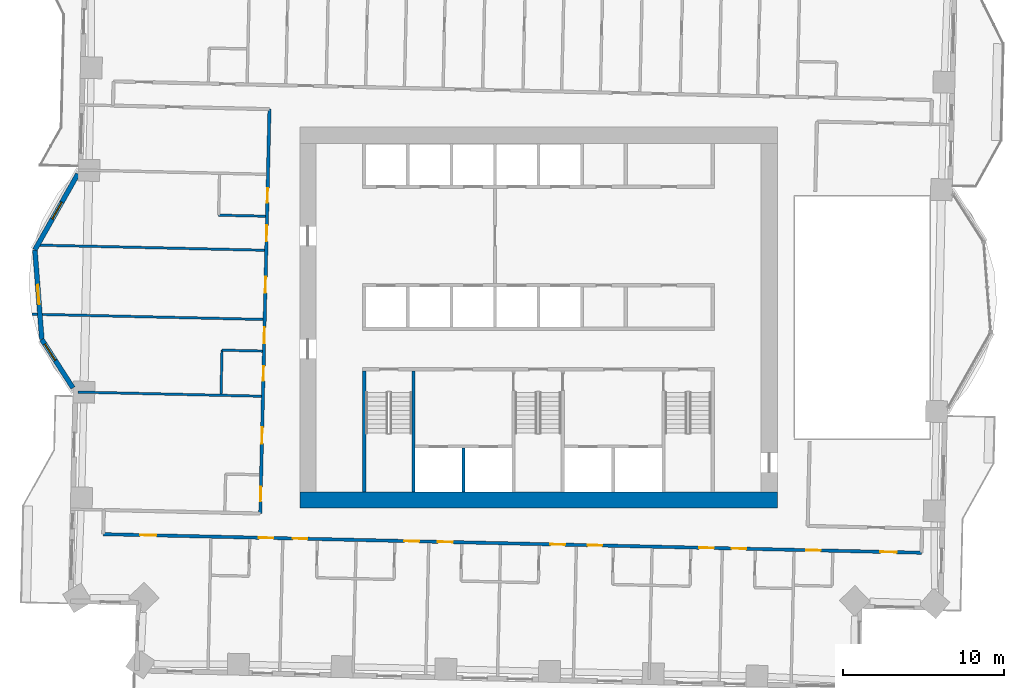
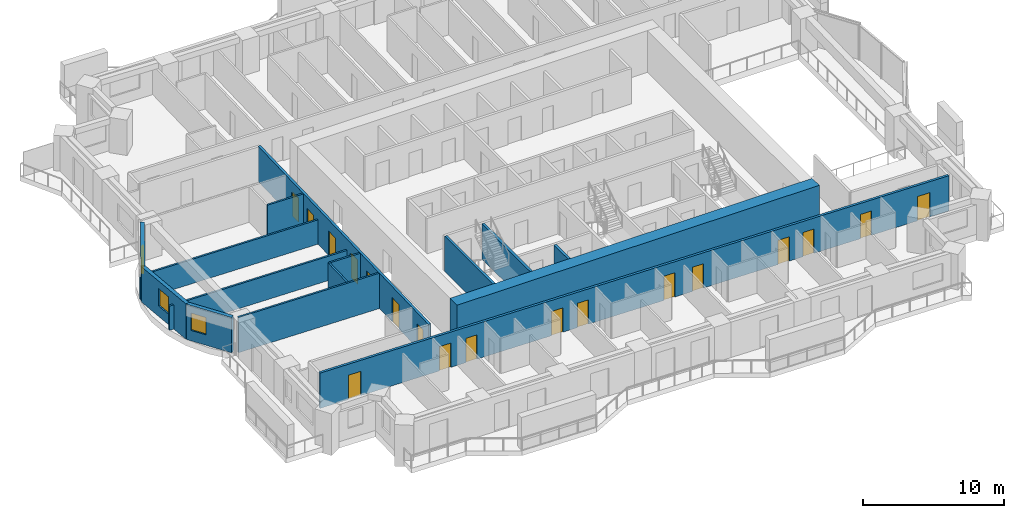
# One storey, part 7 of 16: 18 doors, 15 walls, 3 windows, 21 openings.
"""IFC4 building model written with IfcOpenShell, lengths in metres."""

from ifc_helpers import new_model, si_unit, direction, frame, frame_2d, origin, place, context, subcontext, project, spatial, rectangle, extrude, material, layer, layer_set, type_object, element, fill, save


model = new_model("IFC4")

# Units and contexts
model_context = context("Model", 3, precision=1e-05, world=origin(), true_north=direction((0.0, 1.0)))
body_context = subcontext(model_context, "Body", "Model", "MODEL_VIEW")
ifc_project = project(units=[si_unit("LENGTHUNIT", "METRE"), si_unit("AREAUNIT", "SQUARE_METRE"), si_unit("VOLUMEUNIT", "CUBIC_METRE"), si_unit("PLANEANGLEUNIT", "RADIAN"), si_unit("MASSUNIT", "GRAM", prefix="KILO")], contexts=[model_context])

# Site, building, storey
site_placement = place(None, origin())
site = spatial("IfcSite", under=ifc_project, at=site_placement, CompositionType="ELEMENT")
building_placement = place(site_placement, origin())
building = spatial("IfcBuilding", under=site, at=building_placement, Name="Mangrove Gate Tower", CompositionType="ELEMENT")
storey_placement = place(building_placement, frame((0.0, 0.0, 112.699951171875)))
storey = spatial("IfcBuildingStorey", under=building, at=storey_placement, Name="L28", CompositionType="ELEMENT", Elevation=112.699951171875)

# Walls
ifc_material_1 = material(Name="Concrete C70/85", Category="concrete")
ifc_layer_1 = layer(ifc_material_1, 0.199951171875)
ifc_layer_set_1 = layer_set([ifc_layer_1], Name="Core shaft wall 200 C70/85")
wall_type_1 = type_object("IfcWallType", Name="Core shaft wall 200 C70/85", PredefinedType="SHEAR", material=ifc_layer_set_1)
wall_1_placement = place(storey_placement, frame((-4.64990234375, -10.800048828125, 0.0), z_axis=(0.0, 0.0, 1.0), x_axis=(0.0, 1.0, 0.0)))
element("IfcWall", 1, at=wall_1_placement, inside=storey, type_object=wall_type_1, Name="WALL-L28-CORE-16", PredefinedType="SHEAR", context=body_context, shape_type="SweptSolid", body=[
    extrude(rectangle(XDim=2.699951171875, YDim=0.199951171875, at=frame_2d((1.35009765625, 0.0))), origin(), (0.0, 0.0, 1.0), 3.050048828125),
])
ifc_material_2 = material(Name="Concrete C70/85", Category="concrete")
ifc_layer_2 = layer(ifc_material_2, 0.199951171875)
ifc_layer_set_2 = layer_set([ifc_layer_2], Name="Core stair wall 200 C70/85")
wall_type_2 = type_object("IfcWallType", Name="Core stair wall 200 C70/85", PredefinedType="SHEAR", material=ifc_layer_set_2)
for number, where, z_axis, x_axis, name in (
    (2, (-10.800048828125, -10.800048828125, 0.0), (0.0, 0.0, 1.0), (0.0, 1.0, 0.0), "WALL-L28-CORE-9"),
    (3, (-7.75, -10.800048828125, 0.0), (0.0, 0.0, 1.0), (0.0, 1.0, 0.0), "WALL-L28-CORE-10"),
):
    element("IfcWall", number, at=place(storey_placement, frame(where, z_axis=z_axis, x_axis=x_axis)), inside=storey, type_object=wall_type_2, Name=name, PredefinedType="SHEAR", context=body_context, shape_type="SweptSolid", body=[
        extrude(rectangle(XDim=7.5, YDim=0.199951171875, at=frame_2d((3.75, 0.0))), origin(), (0.0, 0.0, 1.0), 3.050048828125),
    ])
ifc_material_3 = material(Name="Concrete C70/85", Category="concrete")
ifc_layer_3 = layer(ifc_material_3, 1.0)
ifc_layer_set_3 = layer_set([ifc_layer_3], Name="Core wall 1000 C70/85")
wall_type_3 = type_object("IfcWallType", Name="Core wall 1000 C70/85", PredefinedType="SHEAR", material=ifc_layer_set_3)
wall_2_placement = place(storey_placement, frame((-14.800048828125, -11.300048828125, 0.0), z_axis=(0.0, 0.0, 1.0), x_axis=(1.0, 0.0, 0.0)))
element("IfcWall", 4, at=wall_2_placement, inside=storey, type_object=wall_type_3, Name="WALL-L28-CORE-1", PredefinedType="SHEAR", context=body_context, shape_type="SweptSolid", body=[
    extrude(rectangle(XDim=29.60009765625, YDim=1.0, at=frame_2d((14.800048828125, 0.0))), origin(), (0.0, 0.0, 1.0), 3.60009765625),
])

# Wall, openings, doors
ifc_material_4 = material(Name="Gypsum board on steel stud, EI 60", Category="steel")
ifc_layer_4 = layer(ifc_material_4, 0.199951171875)
ifc_layer_set_4 = layer_set([ifc_layer_4], Name="Corridor wall EI 60")
wall_type_4 = type_object("IfcWallType", Name="Corridor wall EI 60", PredefinedType="PARTITIONING", material=ifc_layer_set_4)
wall_3_placement = place(storey_placement, frame((-26.97802734375, -13.427978515625, 0.0), z_axis=(0.0, 0.0, 1.0), x_axis=(0.999742553034, -0.02268981385, 0.0)))
wall_3 = element("IfcWall", 5, at=wall_3_placement, inside=storey, type_object=wall_type_4, Name="WALL-L28-026", PredefinedType="PARTITIONING", context=body_context, shape_type="SweptSolid", body=[
    extrude(rectangle(XDim=50.73291015625, YDim=0.199951171875, at=frame_2d((25.366455078125, 0.0))), origin(), (0.0, 0.0, 1.0), 3.050048828125),
])
opening_1_placement = place(wall_3_placement, frame((2.29296875, 0.0, 0.0)))
opening_1 = element("IfcOpeningElement", 6, at=opening_1_placement, cuts=wall_3, Name="Opening AD", PredefinedType="OPENING", context=body_context, shape_type="SweptSolid", body=[
    extrude(rectangle(XDim=1.0, YDim=2.10009765625, at=frame_2d((0.5, 1.050048828125))), frame((0.0, 0.10986328125, 0.0), z_axis=(0.0, -1.0, 0.0), x_axis=(1.0, 0.0, 0.0)), (0.0, 0.0, 1.0), 0.219970703125),
])
opening_2_placement = place(wall_3_placement, frame((9.64990234375, 0.0, 0.0)))
opening_2 = element("IfcOpeningElement", 7, at=opening_2_placement, cuts=wall_3, Name="Opening BD", PredefinedType="OPENING", context=body_context, shape_type="SweptSolid", body=[
    extrude(rectangle(XDim=0.89990234375, YDim=2.10009765625, at=frame_2d((0.449951171875, 1.050048828125))), frame((0.0, 0.10986328125, 0.0), z_axis=(0.0, -1.0, 0.0), x_axis=(1.0, 0.0, 0.0)), (0.0, 0.0, 1.0), 0.219970703125),
])
opening_3_placement = place(wall_3_placement, frame((11.75, 0.0, 0.0)))
opening_3 = element("IfcOpeningElement", 8, at=opening_3_placement, cuts=wall_3, Name="Opening BD", PredefinedType="OPENING", context=body_context, shape_type="SweptSolid", body=[
    extrude(rectangle(XDim=0.89990234375, YDim=2.10009765625, at=frame_2d((0.449951171875, 1.050048828125))), frame((0.0, 0.10986328125, 0.0), z_axis=(0.0, -1.0, 0.0), x_axis=(1.0, 0.0, 0.0)), (0.0, 0.0, 1.0), 0.219970703125),
])
opening_4_placement = place(wall_3_placement, frame((18.675048828125, 0.0, 0.0)))
opening_4 = element("IfcOpeningElement", 9, at=opening_4_placement, cuts=wall_3, Name="Opening BD", PredefinedType="OPENING", context=body_context, shape_type="SweptSolid", body=[
    extrude(rectangle(XDim=0.89990234375, YDim=2.10009765625, at=frame_2d((0.449951171875, 1.050048828125))), frame((0.0, 0.10986328125, 0.0), z_axis=(0.0, -1.0, 0.0), x_axis=(1.0, 0.0, 0.0)), (0.0, 0.0, 1.0), 0.219970703125),
])
opening_5_placement = place(wall_3_placement, frame((20.75, 0.0, 0.0)))
opening_5 = element("IfcOpeningElement", 10, at=opening_5_placement, cuts=wall_3, Name="Opening BD", PredefinedType="OPENING", context=body_context, shape_type="SweptSolid", body=[
    extrude(rectangle(XDim=0.89990234375, YDim=2.10009765625, at=frame_2d((0.449951171875, 1.050048828125))), frame((0.0, 0.10986328125, 0.0), z_axis=(0.0, -1.0, 0.0), x_axis=(1.0, 0.0, 0.0)), (0.0, 0.0, 1.0), 0.219970703125),
])
opening_6_placement = place(wall_3_placement, frame((27.72509765625, 0.0, 0.0)))
opening_6 = element("IfcOpeningElement", 11, at=opening_6_placement, cuts=wall_3, Name="Opening BD", PredefinedType="OPENING", context=body_context, shape_type="SweptSolid", body=[
    extrude(rectangle(XDim=0.89990234375, YDim=2.10009765625, at=frame_2d((0.449951171875, 1.050048828125))), frame((0.0, 0.10986328125, 0.0), z_axis=(0.0, -1.0, 0.0), x_axis=(1.0, 0.0, 0.0)), (0.0, 0.0, 1.0), 0.219970703125),
])
opening_7_placement = place(wall_3_placement, frame((30.02490234375, 0.0, 0.0)))
opening_7 = element("IfcOpeningElement", 12, at=opening_7_placement, cuts=wall_3, Name="Opening BD", PredefinedType="OPENING", context=body_context, shape_type="SweptSolid", body=[
    extrude(rectangle(XDim=0.89990234375, YDim=2.10009765625, at=frame_2d((0.449951171875, 1.050048828125))), frame((0.0, 0.10986328125, 0.0), z_axis=(0.0, -1.0, 0.0), x_axis=(1.0, 0.0, 0.0)), (0.0, 0.0, 1.0), 0.219970703125),
])
opening_8_placement = place(wall_3_placement, frame((36.949951171875, 0.0, 0.0)))
opening_8 = element("IfcOpeningElement", 13, at=opening_8_placement, cuts=wall_3, Name="Opening BD", PredefinedType="OPENING", context=body_context, shape_type="SweptSolid", body=[
    extrude(rectangle(XDim=0.89990234375, YDim=2.10009765625, at=frame_2d((0.449951171875, 1.050048828125))), frame((0.0, 0.10986328125, 0.0), z_axis=(0.0, -1.0, 0.0), x_axis=(1.0, 0.0, 0.0)), (0.0, 0.0, 1.0), 0.219970703125),
])
opening_9_placement = place(wall_3_placement, frame((38.949951171875, 0.0, 0.0)))
opening_9 = element("IfcOpeningElement", 14, at=opening_9_placement, cuts=wall_3, Name="Opening BD", PredefinedType="OPENING", context=body_context, shape_type="SweptSolid", body=[
    extrude(rectangle(XDim=0.89990234375, YDim=2.10009765625, at=frame_2d((0.449951171875, 1.050048828125))), frame((0.0, 0.10986328125, 0.0), z_axis=(0.0, -1.0, 0.0), x_axis=(1.0, 0.0, 0.0)), (0.0, 0.0, 1.0), 0.219970703125),
])
opening_10_placement = place(wall_3_placement, frame((48.178955078125, 0.0, 0.0)))
opening_10 = element("IfcOpeningElement", 15, at=opening_10_placement, cuts=wall_3, Name="Opening AD", PredefinedType="OPENING", context=body_context, shape_type="SweptSolid", body=[
    extrude(rectangle(XDim=1.0, YDim=2.10009765625, at=frame_2d((0.5, 1.050048828125))), frame((0.0, 0.10986328125, 0.0), z_axis=(0.0, -1.0, 0.0), x_axis=(1.0, 0.0, 0.0)), (0.0, 0.0, 1.0), 0.219970703125),
])
opening_11_placement = place(wall_3_placement, frame((43.574951171875, 0.0, 0.0)))
opening_11 = element("IfcOpeningElement", 16, at=opening_11_placement, cuts=wall_3, Name="Opening SD", PredefinedType="OPENING", context=body_context, shape_type="SweptSolid", body=[
    extrude(rectangle(XDim=0.89990234375, YDim=2.10009765625, at=frame_2d((0.449951171875, 1.050048828125))), frame((0.0, 0.10986328125, 0.0), z_axis=(0.0, -1.0, 0.0), x_axis=(1.0, 0.0, 0.0)), (0.0, 0.0, 1.0), 0.219970703125),
])
ifc_material_5 = material(Name="Timber door leaf", Category="wood")
door_type_1 = type_object("IfcDoorType", Name="Amenity door 1000", OperationType="SINGLE_SWING_LEFT", PredefinedType="DOOR", material=ifc_material_5)
door_1_placement = place(opening_1_placement, origin())
door_1 = element("IfcDoor", 17, at=door_1_placement, inside=storey, type_object=door_type_1, Name="DOOR-L28-GAM-c1a", OperationType="SINGLE_SWING_LEFT", OverallHeight=2.10009765625, OverallWidth=1.0, PredefinedType="DOOR", context=body_context, shape_type="SweptSolid", body=[
    extrude(rectangle(XDim=1.0, YDim=2.10009765625, at=frame_2d((0.5, 1.050048828125))), frame((0.0, 0.02490234375, 0.0), z_axis=(0.0, -1.0, 0.0), x_axis=(1.0, 0.0, 0.0)), (0.0, 0.0, 1.0), 0.050048828125),
])
fill(opening_1, door_1)
door_2_placement = place(opening_10_placement, origin())
door_2 = element("IfcDoor", 18, at=door_2_placement, inside=storey, type_object=door_type_1, Name="DOOR-L28-STU-c3a", OperationType="SINGLE_SWING_RIGHT", OverallHeight=2.10009765625, OverallWidth=1.0, PredefinedType="DOOR", context=body_context, shape_type="SweptSolid", body=[
    extrude(rectangle(XDim=1.0, YDim=2.10009765625, at=frame_2d((0.5, 1.050048828125))), frame((0.0, 0.02490234375, 0.0), z_axis=(0.0, -1.0, 0.0), x_axis=(1.0, 0.0, 0.0)), (0.0, 0.0, 1.0), 0.050048828125),
])
fill(opening_10, door_2)
ifc_material_6 = material(Name="Timber door leaf", Category="wood")
door_type_2 = type_object("IfcDoorType", Name="Bedroom door 900", OperationType="SINGLE_SWING_LEFT", PredefinedType="DOOR", material=ifc_material_6)
door_3_placement = place(opening_2_placement, origin())
door_3 = element("IfcDoor", 19, at=door_3_placement, inside=storey, type_object=door_type_2, Name="DOOR-L28-BED-c101", OperationType="SINGLE_SWING_LEFT", OverallHeight=2.10009765625, OverallWidth=0.89990234375, PredefinedType="DOOR", context=body_context, shape_type="SweptSolid", body=[
    extrude(rectangle(XDim=0.89990234375, YDim=2.10009765625, at=frame_2d((0.449951171875, 1.050048828125))), frame((0.0, 0.02490234375, 0.0), z_axis=(0.0, -1.0, 0.0), x_axis=(1.0, 0.0, 0.0)), (0.0, 0.0, 1.0), 0.050048828125),
])
fill(opening_2, door_3)
door_4_placement = place(opening_3_placement, origin())
door_4 = element("IfcDoor", 20, at=door_4_placement, inside=storey, type_object=door_type_2, Name="DOOR-L28-BED-c102", OperationType="SINGLE_SWING_RIGHT", OverallHeight=2.10009765625, OverallWidth=0.89990234375, PredefinedType="DOOR", context=body_context, shape_type="SweptSolid", body=[
    extrude(rectangle(XDim=0.89990234375, YDim=2.10009765625, at=frame_2d((0.449951171875, 1.050048828125))), frame((0.0, 0.02490234375, 0.0), z_axis=(0.0, -1.0, 0.0), x_axis=(1.0, 0.0, 0.0)), (0.0, 0.0, 1.0), 0.050048828125),
])
fill(opening_3, door_4)
door_5_placement = place(opening_4_placement, origin())
door_5 = element("IfcDoor", 21, at=door_5_placement, inside=storey, type_object=door_type_2, Name="DOOR-L28-BED-c103", OperationType="SINGLE_SWING_LEFT", OverallHeight=2.10009765625, OverallWidth=0.89990234375, PredefinedType="DOOR", context=body_context, shape_type="SweptSolid", body=[
    extrude(rectangle(XDim=0.89990234375, YDim=2.10009765625, at=frame_2d((0.449951171875, 1.050048828125))), frame((0.0, 0.02490234375, 0.0), z_axis=(0.0, -1.0, 0.0), x_axis=(1.0, 0.0, 0.0)), (0.0, 0.0, 1.0), 0.050048828125),
])
fill(opening_4, door_5)
door_6_placement = place(opening_5_placement, origin())
door_6 = element("IfcDoor", 22, at=door_6_placement, inside=storey, type_object=door_type_2, Name="DOOR-L28-BED-c204", OperationType="SINGLE_SWING_RIGHT", OverallHeight=2.10009765625, OverallWidth=0.89990234375, PredefinedType="DOOR", context=body_context, shape_type="SweptSolid", body=[
    extrude(rectangle(XDim=0.89990234375, YDim=2.10009765625, at=frame_2d((0.449951171875, 1.050048828125))), frame((0.0, 0.02490234375, 0.0), z_axis=(0.0, -1.0, 0.0), x_axis=(1.0, 0.0, 0.0)), (0.0, 0.0, 1.0), 0.050048828125),
])
fill(opening_5, door_6)
door_7_placement = place(opening_6_placement, origin())
door_7 = element("IfcDoor", 23, at=door_7_placement, inside=storey, type_object=door_type_2, Name="DOOR-L28-BED-c205", OperationType="SINGLE_SWING_LEFT", OverallHeight=2.10009765625, OverallWidth=0.89990234375, PredefinedType="DOOR", context=body_context, shape_type="SweptSolid", body=[
    extrude(rectangle(XDim=0.89990234375, YDim=2.10009765625, at=frame_2d((0.449951171875, 1.050048828125))), frame((0.0, 0.02490234375, 0.0), z_axis=(0.0, -1.0, 0.0), x_axis=(1.0, 0.0, 0.0)), (0.0, 0.0, 1.0), 0.050048828125),
])
fill(opening_6, door_7)
door_8_placement = place(opening_7_placement, origin())
door_8 = element("IfcDoor", 24, at=door_8_placement, inside=storey, type_object=door_type_2, Name="DOOR-L28-BED-c206", OperationType="SINGLE_SWING_RIGHT", OverallHeight=2.10009765625, OverallWidth=0.89990234375, PredefinedType="DOOR", context=body_context, shape_type="SweptSolid", body=[
    extrude(rectangle(XDim=0.89990234375, YDim=2.10009765625, at=frame_2d((0.449951171875, 1.050048828125))), frame((0.0, 0.02490234375, 0.0), z_axis=(0.0, -1.0, 0.0), x_axis=(1.0, 0.0, 0.0)), (0.0, 0.0, 1.0), 0.050048828125),
])
fill(opening_7, door_8)
door_9_placement = place(opening_8_placement, origin())
door_9 = element("IfcDoor", 25, at=door_9_placement, inside=storey, type_object=door_type_2, Name="DOOR-L28-BED-c307", OperationType="SINGLE_SWING_LEFT", OverallHeight=2.10009765625, OverallWidth=0.89990234375, PredefinedType="DOOR", context=body_context, shape_type="SweptSolid", body=[
    extrude(rectangle(XDim=0.89990234375, YDim=2.10009765625, at=frame_2d((0.449951171875, 1.050048828125))), frame((0.0, 0.02490234375, 0.0), z_axis=(0.0, -1.0, 0.0), x_axis=(1.0, 0.0, 0.0)), (0.0, 0.0, 1.0), 0.050048828125),
])
fill(opening_8, door_9)
door_10_placement = place(opening_9_placement, origin())
door_10 = element("IfcDoor", 26, at=door_10_placement, inside=storey, type_object=door_type_2, Name="DOOR-L28-BED-c308", OperationType="SINGLE_SWING_RIGHT", OverallHeight=2.10009765625, OverallWidth=0.89990234375, PredefinedType="DOOR", context=body_context, shape_type="SweptSolid", body=[
    extrude(rectangle(XDim=0.89990234375, YDim=2.10009765625, at=frame_2d((0.449951171875, 1.050048828125))), frame((0.0, 0.02490234375, 0.0), z_axis=(0.0, -1.0, 0.0), x_axis=(1.0, 0.0, 0.0)), (0.0, 0.0, 1.0), 0.050048828125),
])
fill(opening_9, door_10)
ifc_material_7 = material(Name="Timber door leaf", Category="wood")
door_type_3 = type_object("IfcDoorType", Name="Service room door 900", OperationType="SINGLE_SWING_LEFT", PredefinedType="DOOR", material=ifc_material_7)
door_11_placement = place(opening_11_placement, origin())
door_11 = element("IfcDoor", 27, at=door_11_placement, inside=storey, type_object=door_type_3, Name="DOOR-L28-LIN-c3a", OperationType="SINGLE_SWING_LEFT", OverallHeight=2.10009765625, OverallWidth=0.89990234375, PredefinedType="DOOR", context=body_context, shape_type="SweptSolid", body=[
    extrude(rectangle(XDim=0.89990234375, YDim=2.10009765625, at=frame_2d((0.449951171875, 1.050048828125))), frame((0.0, 0.02490234375, 0.0), z_axis=(0.0, -1.0, 0.0), x_axis=(1.0, 0.0, 0.0)), (0.0, 0.0, 1.0), 0.050048828125),
])
fill(opening_11, door_11)

wall_4_placement = place(storey_placement, frame((-17.2470703125, -12.14892578125, 0.0), z_axis=(0.0, 0.0, 1.0), x_axis=(0.022696191528, 0.999742408268, 0.0)))
wall_4 = element("IfcWall", 28, at=wall_4_placement, inside=storey, type_object=wall_type_4, Name="WALL-L28-031", PredefinedType="PARTITIONING", context=body_context, shape_type="SweptSolid", body=[
    extrude(rectangle(XDim=25.07421875, YDim=0.199951171875, at=frame_2d((12.537109375, 0.0))), origin(), (0.0, 0.0, 1.0), 3.050048828125),
])
opening_12_placement = place(wall_4_placement, frame((16.875, 0.0, 0.0)))
opening_12 = element("IfcOpeningElement", 29, at=opening_12_placement, cuts=wall_4, Name="Opening AD", PredefinedType="OPENING", context=body_context, shape_type="SweptSolid", body=[
    extrude(rectangle(XDim=1.0, YDim=2.10009765625, at=frame_2d((0.5, 1.050048828125))), frame((0.0, 0.10986328125, 0.0), z_axis=(0.0, -1.0, 0.0), x_axis=(1.0, 0.0, 0.0)), (0.0, 0.0, 1.0), 0.219970703125),
])
opening_13_placement = place(wall_4_placement, frame((19.27490234375, 0.0, 0.0)))
opening_13 = element("IfcOpeningElement", 30, at=opening_13_placement, cuts=wall_4, Name="Opening SD", PredefinedType="OPENING", context=body_context, shape_type="SweptSolid", body=[
    extrude(rectangle(XDim=0.89990234375, YDim=2.10009765625, at=frame_2d((0.449951171875, 1.050048828125))), frame((0.0, 0.10986328125, 0.0), z_axis=(0.0, -1.0, 0.0), x_axis=(1.0, 0.0, 0.0)), (0.0, 0.0, 1.0), 0.219970703125),
])
opening_14_placement = place(wall_4_placement, frame((13.675048828125, 0.0, 0.0)))
opening_14 = element("IfcOpeningElement", 31, at=opening_14_placement, cuts=wall_4, Name="Opening AD", PredefinedType="OPENING", context=body_context, shape_type="SweptSolid", body=[
    extrude(rectangle(XDim=1.0, YDim=2.10009765625, at=frame_2d((0.5, 1.050048828125))), frame((0.0, 0.10986328125, 0.0), z_axis=(0.0, -1.0, 0.0), x_axis=(1.0, 0.0, 0.0)), (0.0, 0.0, 1.0), 0.219970703125),
])
opening_15_placement = place(wall_4_placement, frame((10.550048828125, 0.0, 0.0)))
opening_15 = element("IfcOpeningElement", 32, at=opening_15_placement, cuts=wall_4, Name="Opening AD", PredefinedType="OPENING", context=body_context, shape_type="SweptSolid", body=[
    extrude(rectangle(XDim=1.0, YDim=2.10009765625, at=frame_2d((0.5, 1.050048828125))), frame((0.0, 0.10986328125, 0.0), z_axis=(0.0, -1.0, 0.0), x_axis=(1.0, 0.0, 0.0)), (0.0, 0.0, 1.0), 0.219970703125),
])
opening_16_placement = place(wall_4_placement, frame((8.22509765625, 0.0, 0.0)))
opening_16 = element("IfcOpeningElement", 33, at=opening_16_placement, cuts=wall_4, Name="Opening SD", PredefinedType="OPENING", context=body_context, shape_type="SweptSolid", body=[
    extrude(rectangle(XDim=0.89990234375, YDim=2.10009765625, at=frame_2d((0.449951171875, 1.050048828125))), frame((0.0, 0.10986328125, 0.0), z_axis=(0.0, -1.0, 0.0), x_axis=(1.0, 0.0, 0.0)), (0.0, 0.0, 1.0), 0.219970703125),
])
opening_17_placement = place(wall_4_placement, frame((4.3369140625, 0.0, 0.0)))
opening_17 = element("IfcOpeningElement", 34, at=opening_17_placement, cuts=wall_4, Name="Opening AD", PredefinedType="OPENING", context=body_context, shape_type="SweptSolid", body=[
    extrude(rectangle(XDim=1.0, YDim=2.10009765625, at=frame_2d((0.5, 1.050048828125))), frame((0.0, 0.10986328125, 0.0), z_axis=(0.0, -1.0, 0.0), x_axis=(1.0, 0.0, 0.0)), (0.0, 0.0, 1.0), 0.219970703125),
])
opening_18_placement = place(wall_4_placement, frame((0.75, 0.0, 0.0)))
opening_18 = element("IfcOpeningElement", 35, at=opening_18_placement, cuts=wall_4, Name="Opening SD", PredefinedType="OPENING", context=body_context, shape_type="SweptSolid", body=[
    extrude(rectangle(XDim=0.89990234375, YDim=2.10009765625, at=frame_2d((0.449951171875, 1.050048828125))), frame((0.0, 0.10986328125, 0.0), z_axis=(0.0, -1.0, 0.0), x_axis=(1.0, 0.0, 0.0)), (0.0, 0.0, 1.0), 0.219970703125),
])
door_12_placement = place(opening_12_placement, origin())
door_12 = element("IfcDoor", 36, at=door_12_placement, inside=storey, type_object=door_type_1, Name="DOOR-L28-LNG-c5a", OperationType="SINGLE_SWING_RIGHT", OverallHeight=2.10009765625, OverallWidth=1.0, PredefinedType="DOOR", context=body_context, shape_type="SweptSolid", body=[
    extrude(rectangle(XDim=1.0, YDim=2.10009765625, at=frame_2d((0.5, 1.050048828125))), frame((0.0, 0.02490234375, 0.0), z_axis=(0.0, -1.0, 0.0), x_axis=(1.0, 0.0, 0.0)), (0.0, 0.0, 1.0), 0.050048828125),
])
fill(opening_12, door_12)
door_13_placement = place(opening_14_placement, origin())
door_13 = element("IfcDoor", 37, at=door_13_placement, inside=storey, type_object=door_type_1, Name="DOOR-L28-LNG-c5b", OperationType="SINGLE_SWING_LEFT", OverallHeight=2.10009765625, OverallWidth=1.0, PredefinedType="DOOR", context=body_context, shape_type="SweptSolid", body=[
    extrude(rectangle(XDim=1.0, YDim=2.10009765625, at=frame_2d((0.5, 1.050048828125))), frame((0.0, 0.02490234375, 0.0), z_axis=(0.0, -1.0, 0.0), x_axis=(1.0, 0.0, 0.0)), (0.0, 0.0, 1.0), 0.050048828125),
])
fill(opening_14, door_13)
door_14_placement = place(opening_15_placement, origin())
door_14 = element("IfcDoor", 38, at=door_14_placement, inside=storey, type_object=door_type_1, Name="DOOR-L28-LNG-c5c", OperationType="SINGLE_SWING_RIGHT", OverallHeight=2.10009765625, OverallWidth=1.0, PredefinedType="DOOR", context=body_context, shape_type="SweptSolid", body=[
    extrude(rectangle(XDim=1.0, YDim=2.10009765625, at=frame_2d((0.5, 1.050048828125))), frame((0.0, 0.02490234375, 0.0), z_axis=(0.0, -1.0, 0.0), x_axis=(1.0, 0.0, 0.0)), (0.0, 0.0, 1.0), 0.050048828125),
])
fill(opening_15, door_14)
door_15_placement = place(opening_17_placement, origin())
door_15 = element("IfcDoor", 39, at=door_15_placement, inside=storey, type_object=door_type_1, Name="DOOR-L28-GAM-c5b", OperationType="SINGLE_SWING_LEFT", OverallHeight=2.10009765625, OverallWidth=1.0, PredefinedType="DOOR", context=body_context, shape_type="SweptSolid", body=[
    extrude(rectangle(XDim=1.0, YDim=2.10009765625, at=frame_2d((0.5, 1.050048828125))), frame((0.0, 0.02490234375, 0.0), z_axis=(0.0, -1.0, 0.0), x_axis=(1.0, 0.0, 0.0)), (0.0, 0.0, 1.0), 0.050048828125),
])
fill(opening_17, door_15)
door_16_placement = place(opening_13_placement, origin())
door_16 = element("IfcDoor", 40, at=door_16_placement, inside=storey, type_object=door_type_3, Name="DOOR-L28-AWC-c5a", OperationType="SINGLE_SWING_RIGHT", OverallHeight=2.10009765625, OverallWidth=0.89990234375, PredefinedType="DOOR", context=body_context, shape_type="SweptSolid", body=[
    extrude(rectangle(XDim=0.89990234375, YDim=2.10009765625, at=frame_2d((0.449951171875, 1.050048828125))), frame((0.0, 0.02490234375, 0.0), z_axis=(0.0, -1.0, 0.0), x_axis=(1.0, 0.0, 0.0)), (0.0, 0.0, 1.0), 0.050048828125),
])
fill(opening_13, door_16)
door_17_placement = place(opening_16_placement, origin())
door_17 = element("IfcDoor", 41, at=door_17_placement, inside=storey, type_object=door_type_3, Name="DOOR-L28-LDY-c5a", OperationType="SINGLE_SWING_LEFT", OverallHeight=2.10009765625, OverallWidth=0.89990234375, PredefinedType="DOOR", context=body_context, shape_type="SweptSolid", body=[
    extrude(rectangle(XDim=0.89990234375, YDim=2.10009765625, at=frame_2d((0.449951171875, 1.050048828125))), frame((0.0, 0.02490234375, 0.0), z_axis=(0.0, -1.0, 0.0), x_axis=(1.0, 0.0, 0.0)), (0.0, 0.0, 1.0), 0.050048828125),
])
fill(opening_16, door_17)
door_18_placement = place(opening_18_placement, origin())
door_18 = element("IfcDoor", 42, at=door_18_placement, inside=storey, type_object=door_type_3, Name="DOOR-L28-LIN-c5b", OperationType="SINGLE_SWING_RIGHT", OverallHeight=2.10009765625, OverallWidth=0.89990234375, PredefinedType="DOOR", context=body_context, shape_type="SweptSolid", body=[
    extrude(rectangle(XDim=0.89990234375, YDim=2.10009765625, at=frame_2d((0.449951171875, 1.050048828125))), frame((0.0, 0.02490234375, 0.0), z_axis=(0.0, -1.0, 0.0), x_axis=(1.0, 0.0, 0.0)), (0.0, 0.0, 1.0), 0.050048828125),
])
fill(opening_18, door_18)

# Wall, opening, window
ifc_material_8 = material(Name="Limestone", Category="masonry")
ifc_layer_5 = layer(ifc_material_8, 0.0400390625, Name="Limestone cladding")
ifc_material_9 = material(Name="Ventilated air gap")
ifc_layer_6 = layer(ifc_material_9, 0.0400390625, Name="Ventilated cavity")
ifc_material_10 = material(Name="Mineral wool insulation")
ifc_layer_7 = layer(ifc_material_10, 0.06005859375, Name="Insulation")
ifc_material_11 = material(Name="Breather membrane")
ifc_layer_8 = layer(ifc_material_11, 0.001953125, Name="Breather membrane")
ifc_material_12 = material(Name="Concrete C20/25 blockwork", Category="masonry")
ifc_layer_9 = layer(ifc_material_12, 0.14990234375, Name="Blockwork backing wall")
ifc_material_13 = material(Name="Gypsum plaster")
ifc_layer_10 = layer(ifc_material_13, 0.008056640625, Name="Internal plaster")
ifc_layer_set_5 = layer_set([ifc_layer_5, ifc_layer_6, ifc_layer_7, ifc_layer_8, ifc_layer_9, ifc_layer_10], Name="External wall 300 limestone cladding")
wall_type_5 = type_object("IfcWallType", Name="External wall 300 limestone cladding", PredefinedType="SOLIDWALL", material=ifc_layer_set_5)
wall_5_placement = place(storey_placement, frame((-28.556884765625, 8.89404296875, 0.0), z_axis=(0.0, 0.0, 1.0), x_axis=(-0.492589172415, -0.8702619762, 0.0)))
wall_5 = element("IfcWall", 43, at=wall_5_placement, inside=storey, type_object=wall_type_5, Name="WALL-L28-W9f1", PredefinedType="SOLIDWALL", context=body_context, shape_type="SweptSolid", body=[
    extrude(rectangle(XDim=5.3984375, YDim=0.300048828125, at=frame_2d((2.69921875, 0.0))), origin(), (0.0, 0.0, 1.0), 3.050048828125),
])
opening_19_placement = place(wall_5_placement, frame((2.008056640625, 0.0, 0.89990234375)))
opening_19 = element("IfcOpeningElement", 44, at=opening_19_placement, cuts=wall_5, Name="Opening W1", PredefinedType="OPENING", context=body_context, shape_type="SweptSolid", body=[
    extrude(rectangle(XDim=1.199951171875, YDim=1.5, at=frame_2d((0.60009765625, 0.75))), frame((0.0, 0.159912109375, 0.0), z_axis=(0.0, -1.0, 0.0), x_axis=(1.0, 0.0, 0.0)), (0.0, 0.0, 1.0), 0.320068359375),
])
ifc_material_14 = material(Name="Aluminium frame with double-glazed low-e glass", Category="aluminium")
window_type = type_object("IfcWindowType", Name="Side lite 1200x1500", PartitioningType="SINGLE_PANEL", PredefinedType="WINDOW", material=ifc_material_14)
window_1_placement = place(opening_19_placement, origin())
window_1 = element("IfcWindow", 45, at=window_1_placement, inside=storey, type_object=window_type, Name="WIN-L28-W9f1", OverallHeight=1.5, OverallWidth=1.199951171875, PartitioningType="SINGLE_PANEL", PredefinedType="WINDOW", context=body_context, shape_type="SweptSolid", body=[
    extrude(rectangle(XDim=1.199951171875, YDim=1.5, at=frame_2d((0.60009765625, 0.75))), frame((0.0, 0.030029296875, 0.0), z_axis=(0.0, -1.0, 0.0), x_axis=(1.0, 0.0, 0.0)), (0.0, 0.0, 1.0), 0.06005859375),
])
fill(opening_19, window_1)

wall_6_placement = place(storey_placement, frame((-31.216064453125, 4.196044921875, 0.0), z_axis=(0.0, 0.0, 1.0), x_axis=(0.077178825362, -0.997017266107, 0.0)))
wall_6 = element("IfcWall", 46, at=wall_6_placement, inside=storey, type_object=wall_type_5, Name="WALL-L28-W9f2", PredefinedType="SOLIDWALL", context=body_context, shape_type="SweptSolid", body=[
    extrude(rectangle(XDim=5.57373046875, YDim=0.300048828125, at=frame_2d((2.786865234375, 0.0))), origin(), (0.0, 0.0, 1.0), 3.050048828125),
])
opening_20_placement = place(wall_6_placement, frame((2.18603515625, 0.0, 0.89990234375)))
opening_20 = element("IfcOpeningElement", 47, at=opening_20_placement, cuts=wall_6, Name="Opening W1", PredefinedType="OPENING", context=body_context, shape_type="SweptSolid", body=[
    extrude(rectangle(XDim=1.199951171875, YDim=1.5, at=frame_2d((0.60009765625, 0.75))), frame((0.0, 0.159912109375, 0.0), z_axis=(0.0, -1.0, 0.0), x_axis=(1.0, 0.0, 0.0)), (0.0, 0.0, 1.0), 0.320068359375),
])
window_2_placement = place(opening_20_placement, origin())
window_2 = element("IfcWindow", 48, at=window_2_placement, inside=storey, type_object=window_type, Name="WIN-L28-W9f2", OverallHeight=1.5, OverallWidth=1.199951171875, PartitioningType="SINGLE_PANEL", PredefinedType="WINDOW", context=body_context, shape_type="SweptSolid", body=[
    extrude(rectangle(XDim=1.199951171875, YDim=1.5, at=frame_2d((0.60009765625, 0.75))), frame((0.0, 0.030029296875, 0.0), z_axis=(0.0, -1.0, 0.0), x_axis=(1.0, 0.0, 0.0)), (0.0, 0.0, 1.0), 0.06005859375),
])
fill(opening_20, window_2)

wall_7_placement = place(storey_placement, frame((-30.785888671875, -1.361083984375, 0.0), z_axis=(0.0, 0.0, 1.0), x_axis=(0.54058467792, -0.841289608873, 0.0)))
wall_7 = element("IfcWall", 49, at=wall_7_placement, inside=storey, type_object=wall_type_5, Name="WALL-L28-W9f3", PredefinedType="SOLIDWALL", context=body_context, shape_type="SweptSolid", body=[
    extrude(rectangle(XDim=3.568359375, YDim=0.300048828125, at=frame_2d((1.7841796875, 0.0))), origin(), (0.0, 0.0, 1.0), 3.050048828125),
])
opening_21_placement = place(wall_7_placement, frame((0.337890625, 0.0, 0.89990234375)))
opening_21 = element("IfcOpeningElement", 50, at=opening_21_placement, cuts=wall_7, Name="Opening W1", PredefinedType="OPENING", context=body_context, shape_type="SweptSolid", body=[
    extrude(rectangle(XDim=1.199951171875, YDim=1.5, at=frame_2d((0.60009765625, 0.75))), frame((0.0, 0.159912109375, 0.0), z_axis=(0.0, -1.0, 0.0), x_axis=(1.0, 0.0, 0.0)), (0.0, 0.0, 1.0), 0.320068359375),
])
window_3_placement = place(opening_21_placement, origin())
window_3 = element("IfcWindow", 51, at=window_3_placement, inside=storey, type_object=window_type, Name="WIN-L28-W9f3", OverallHeight=1.5, OverallWidth=1.199951171875, PartitioningType="SINGLE_PANEL", PredefinedType="WINDOW", context=body_context, shape_type="SweptSolid", body=[
    extrude(rectangle(XDim=1.199951171875, YDim=1.5, at=frame_2d((0.60009765625, 0.75))), frame((0.0, 0.030029296875, 0.0), z_axis=(0.0, -1.0, 0.0), x_axis=(1.0, 0.0, 0.0)), (0.0, 0.0, 1.0), 0.06005859375),
])
fill(opening_21, window_3)

# Walls
ifc_material_15 = material(Name="Gypsum board on steel stud, EI 60", Category="steel")
ifc_layer_11 = layer(ifc_material_15, 0.14990234375)
ifc_layer_set_6 = layer_set([ifc_layer_11], Name="Party wall 150 EI 60")
wall_type_6 = type_object("IfcWallType", Name="Party wall 150 EI 60", PredefinedType="PARTITIONING", material=ifc_layer_set_6)
wall_8_placement = place(storey_placement, frame((-28.552978515625, -4.6201171875, 0.0), z_axis=(0.0, 0.0, 1.0), x_axis=(0.999743020026, -0.022669228257, 0.0)))
element("IfcWall", 52, at=wall_8_placement, inside=storey, type_object=wall_type_6, Name="WALL-L28-036", PredefinedType="PARTITIONING", context=body_context, shape_type="SweptSolid", body=[
    extrude(rectangle(XDim=11.372802734375, YDim=0.14990234375, at=frame_2d((5.6865234375, 0.0))), origin(), (0.0, 0.0, 1.0), 3.050048828125),
])
wall_9_placement = place(storey_placement, frame((-19.679931640625, -4.740966796875, 0.0), z_axis=(0.0, 0.0, 1.0), x_axis=(0.022760079124, 0.999740955847, 0.0)))
element("IfcWall", 53, at=wall_9_placement, inside=storey, type_object=wall_type_6, Name="WALL-L28-037", PredefinedType="PARTITIONING", context=body_context, shape_type="SweptSolid", body=[
    extrude(rectangle(XDim=2.724609375, YDim=0.14990234375, at=frame_2d((1.3623046875, 0.0))), origin(), (0.0, 0.0, 1.0), 3.050048828125),
])
wall_10_placement = place(storey_placement, frame((-19.618896484375, -2.02197265625, 0.0), z_axis=(0.0, 0.0, 1.0), x_axis=(0.999738750294, -0.02285675306, 0.0)))
element("IfcWall", 54, at=wall_10_placement, inside=storey, type_object=wall_type_6, Name="WALL-L28-038", PredefinedType="PARTITIONING", context=body_context, shape_type="SweptSolid", body=[
    extrude(rectangle(XDim=2.49951171875, YDim=0.14990234375, at=frame_2d((1.249755859375, 0.0))), origin(), (0.0, 0.0, 1.0), 3.050048828125),
])
wall_11_placement = place(storey_placement, frame((-31.385009765625, 0.205078125, 0.0), z_axis=(0.0, 0.0, 1.0), x_axis=(0.99974382177, -0.022633842623, 0.0)))
element("IfcWall", 55, at=wall_11_placement, inside=storey, type_object=wall_type_6, Name="WALL-L28-039", PredefinedType="PARTITIONING", context=body_context, shape_type="SweptSolid", body=[
    extrude(rectangle(XDim=14.313720703125, YDim=0.14990234375, at=frame_2d((7.15673828125, 0.0))), origin(), (0.0, 0.0, 1.0), 2.10009765625),
])
wall_12_placement = place(storey_placement, frame((-31.27197265625, 4.493896484375, 0.0), z_axis=(0.0, 0.0, 1.0), x_axis=(0.999743244098, -0.022659344212, 0.0)))
element("IfcWall", 56, at=wall_12_placement, inside=storey, type_object=wall_type_6, Name="WALL-L28-040", PredefinedType="PARTITIONING", context=body_context, shape_type="SweptSolid", body=[
    extrude(rectangle(XDim=14.297607421875, YDim=0.14990234375, at=frame_2d((7.14892578125, 0.0))), origin(), (0.0, 0.0, 1.0), 2.10009765625),
])
wall_13_placement = place(storey_placement, frame((-19.8291015625, 6.344970703125, 0.0), z_axis=(0.0, 0.0, 1.0), x_axis=(0.999741618182, -0.022730967319, 0.0)))
element("IfcWall", 57, at=wall_13_placement, inside=storey, type_object=wall_type_6, Name="WALL-L28-042", PredefinedType="PARTITIONING", context=body_context, shape_type="SweptSolid", body=[
    extrude(rectangle(XDim=2.89990234375, YDim=0.14990234375, at=frame_2d((1.449951171875, 0.0))), origin(), (0.0, 0.0, 1.0), 3.050048828125),
])

save(model, "model.ifc")
